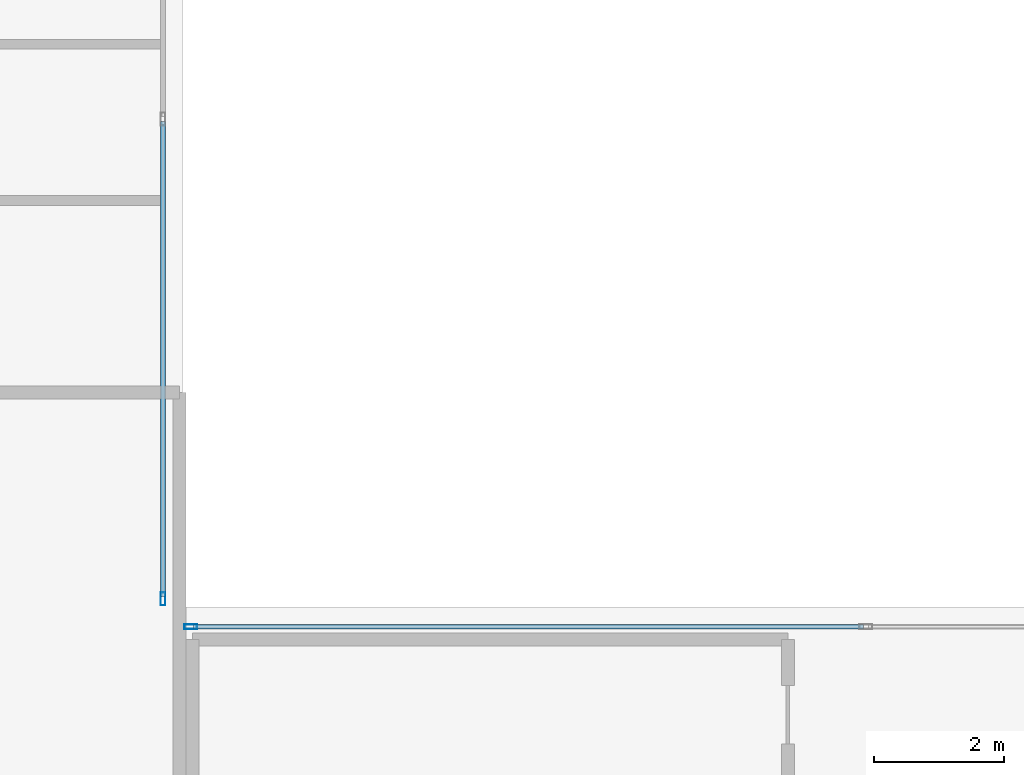
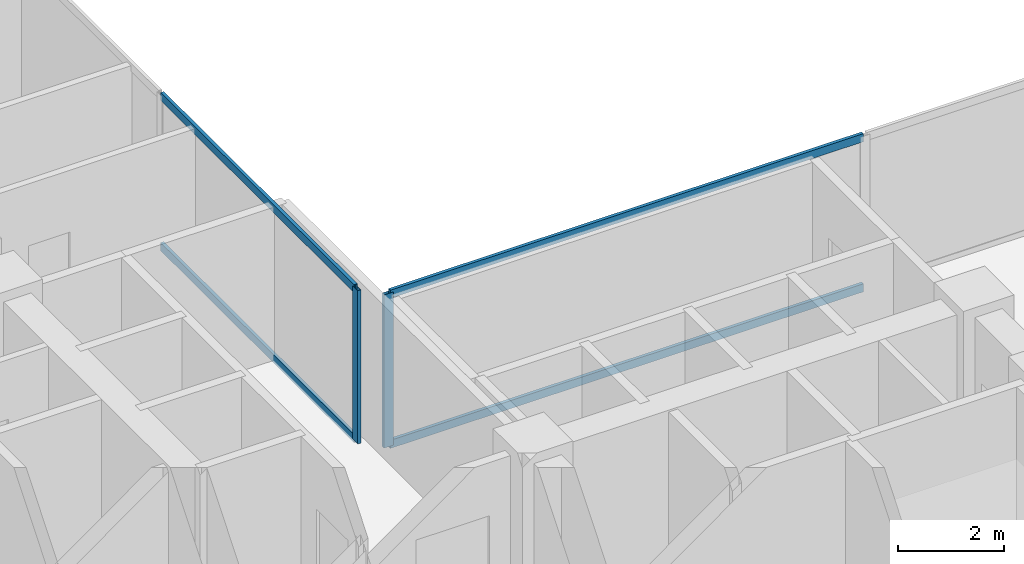
# One storey, part 8 of 26: 6 members, 2 elements without a shape of their own.
"""IFC4 building model written with IfcOpenShell, lengths in metres."""

from ifc_helpers import new_model, si_unit, direction, frame, origin, origin_2d, place, context, subcontext, project, spatial, hollow_rectangle, extrude, material, layer, layer_set, material_profile, profile_set, type_object, element, aggregate, save


model = new_model("IFC4")

# Units and contexts
model_context = context("Model", 3, precision=1e-05, world=origin(), true_north=direction((0.0, 1.0)))
body_context = subcontext(model_context, "Body", "Model", "MODEL_VIEW")
ifc_project = project(units=[si_unit("LENGTHUNIT", "METRE"), si_unit("AREAUNIT", "SQUARE_METRE"), si_unit("VOLUMEUNIT", "CUBIC_METRE"), si_unit("PLANEANGLEUNIT", "RADIAN"), si_unit("MASSUNIT", "GRAM", prefix="KILO"), si_unit("THERMODYNAMICTEMPERATUREUNIT", "KELVIN"), si_unit("POWERUNIT", "WATT")], contexts=[model_context])

# Site, building, storey
site_placement = place(None, origin())
site = spatial("IfcSite", under=ifc_project, at=site_placement, CompositionType="ELEMENT")
building_placement = place(site_placement, origin())
building = spatial("IfcBuilding", under=site, at=building_placement, Name="Svarakhadi Broadcast Tower", CompositionType="ELEMENT")
storey_placement = place(building_placement, frame((0.0, 0.0, 99.60009765625)))
storey = spatial("IfcBuildingStorey", under=building, at=storey_placement, Name="L23", CompositionType="ELEMENT", Elevation=99.60009765625)

# Curtain wall, member
ifc_material = material(Name="Anodised Bronze Aluminium AA 6063-T6", Category="aluminium")
ifc_layer = layer(ifc_material, 0.199951171875)
ifc_layer_set = layer_set([ifc_layer], Name="Anodised Bronze Aluminium AA 6063-T6")
curtain_wall_type = type_object("IfcCurtainWallType", Name="CW_Sys_03", PredefinedType="NOTDEFINED", material=ifc_layer_set)
curtain_wall_1_placement = place(storey_placement, origin())
curtain_wall_1 = element("IfcCurtainWall", 1, at=curtain_wall_1_placement, inside=storey, type_object=curtain_wall_type, Name="L23 Unitised Facade Curtain Wall 08", PredefinedType="NOTDEFINED")
ifc_material_profile_1 = material_profile(ifc_material, hollow_rectangle(XDim=0.074951171875, YDim=0.199951171875, WallThickness=0.005615234375, at=origin_2d()), Name="ALU MULLION 200x75x6")
ifc_profile_set_1 = profile_set([ifc_material_profile_1], Name="Anodised Bronze Aluminium AA 6063-T6")
member_type_1 = type_object("IfcMemberType", Name="CW_Sys_03_Mul", PredefinedType="MULLION", material=ifc_profile_set_1)
member_1_placement = place(storey_placement, frame((23.699951171875, 24.12744140625, 0.0), z_axis=(0.0, 0.0, 1.0), x_axis=(1.0, 0.0, 0.0)))
member_1 = element("IfcMember", 2, at=member_1_placement, type_object=member_type_1, Name="CW-03 mullion 3", PredefinedType="MULLION", context=body_context, shape_type="SweptSolid", body=[
    extrude(hollow_rectangle(XDim=0.074951171875, YDim=0.199951171875, WallThickness=0.005615234375, at=origin_2d()), origin(), (0.0, 0.0, 1.0), 3.52490234375),
])

curtain_wall_2_placement = place(storey_placement, origin())
curtain_wall_2 = element("IfcCurtainWall", 3, at=curtain_wall_2_placement, inside=storey, type_object=curtain_wall_type, Name="L23 Unitised Facade Curtain Wall 09", PredefinedType="NOTDEFINED")
member_2_placement = place(storey_placement, frame((24.12744140625, 23.699951171875, 0.0), z_axis=(0.0, 0.0, 1.0), x_axis=(0.0, 1.0, 0.0)))
member_2 = element("IfcMember", 4, at=member_2_placement, type_object=member_type_1, Name="CW-03 mullion 1", PredefinedType="MULLION", context=body_context, shape_type="SweptSolid", body=[
    extrude(hollow_rectangle(XDim=0.074951171875, YDim=0.199951171875, WallThickness=0.005615234375, at=origin_2d()), origin(), (0.0, 0.0, 1.0), 3.52490234375),
])

# Member
ifc_material_profile_2 = material_profile(ifc_material, hollow_rectangle(XDim=0.070068359375, YDim=0.18505859375, WallThickness=0.0048828125, at=origin_2d()), Name="ALU TRANSOM 185x70x5")
ifc_profile_set_2 = profile_set([ifc_material_profile_2], Name="Anodised Bronze Aluminium AA 6063-T6")
member_type_2 = type_object("IfcMemberType", Name="CW_Sys_03_Trn", PredefinedType="USERDEFINED", material=ifc_profile_set_2)
member_3_placement = place(storey_placement, frame((23.699951171875, 31.46240234375, 0.034912109375), z_axis=(0.0, -1.0, 0.0), x_axis=(1.0, 0.0, 0.0)))
member_3 = element("IfcMember", 5, at=member_3_placement, type_object=member_type_2, Name="CW-03 transom 2.1", ObjectType="TRANSOM", PredefinedType="USERDEFINED", context=body_context, shape_type="SweptSolid", body=[
    extrude(hollow_rectangle(XDim=0.070068359375, YDim=0.18505859375, WallThickness=0.0048828125, at=origin_2d()), origin(), (0.0, 0.0, 1.0), 7.29736328125),
])

member_4_placement = place(storey_placement, frame((23.699951171875, 31.46240234375, 3.489990234375), z_axis=(0.0, -1.0, 0.0), x_axis=(1.0, 0.0, 0.0)))
member_4 = element("IfcMember", 6, at=member_4_placement, type_object=member_type_2, Name="CW-03 transom 2.2", ObjectType="TRANSOM", PredefinedType="USERDEFINED", context=body_context, shape_type="SweptSolid", body=[
    extrude(hollow_rectangle(XDim=0.070068359375, YDim=0.18505859375, WallThickness=0.0048828125, at=origin_2d()), origin(), (0.0, 0.0, 1.0), 7.29736328125),
])

aggregate(curtain_wall_1, [member_1, member_3, member_4])

member_5_placement = place(storey_placement, frame((24.1650390625, 23.699951171875, 0.034912109375), z_axis=(1.0, 0.0, 0.0), x_axis=(0.0, 1.0, 0.0)))
member_5 = element("IfcMember", 7, at=member_5_placement, type_object=member_type_2, Name="CW-03 transom 1.1", ObjectType="TRANSOM", PredefinedType="USERDEFINED", context=body_context, shape_type="SweptSolid", body=[
    extrude(hollow_rectangle(XDim=0.070068359375, YDim=0.18505859375, WallThickness=0.0048828125, at=origin_2d()), origin(), (0.0, 0.0, 1.0), 10.29736328125),
])

member_6_placement = place(storey_placement, frame((24.1650390625, 23.699951171875, 3.489990234375), z_axis=(1.0, 0.0, 0.0), x_axis=(0.0, 1.0, 0.0)))
member_6 = element("IfcMember", 8, at=member_6_placement, type_object=member_type_2, Name="CW-03 transom 1.2", ObjectType="TRANSOM", PredefinedType="USERDEFINED", context=body_context, shape_type="SweptSolid", body=[
    extrude(hollow_rectangle(XDim=0.070068359375, YDim=0.18505859375, WallThickness=0.0048828125, at=origin_2d()), origin(), (0.0, 0.0, 1.0), 10.29736328125),
])

aggregate(curtain_wall_2, [member_2, member_5, member_6])

save(model, "model.ifc")
